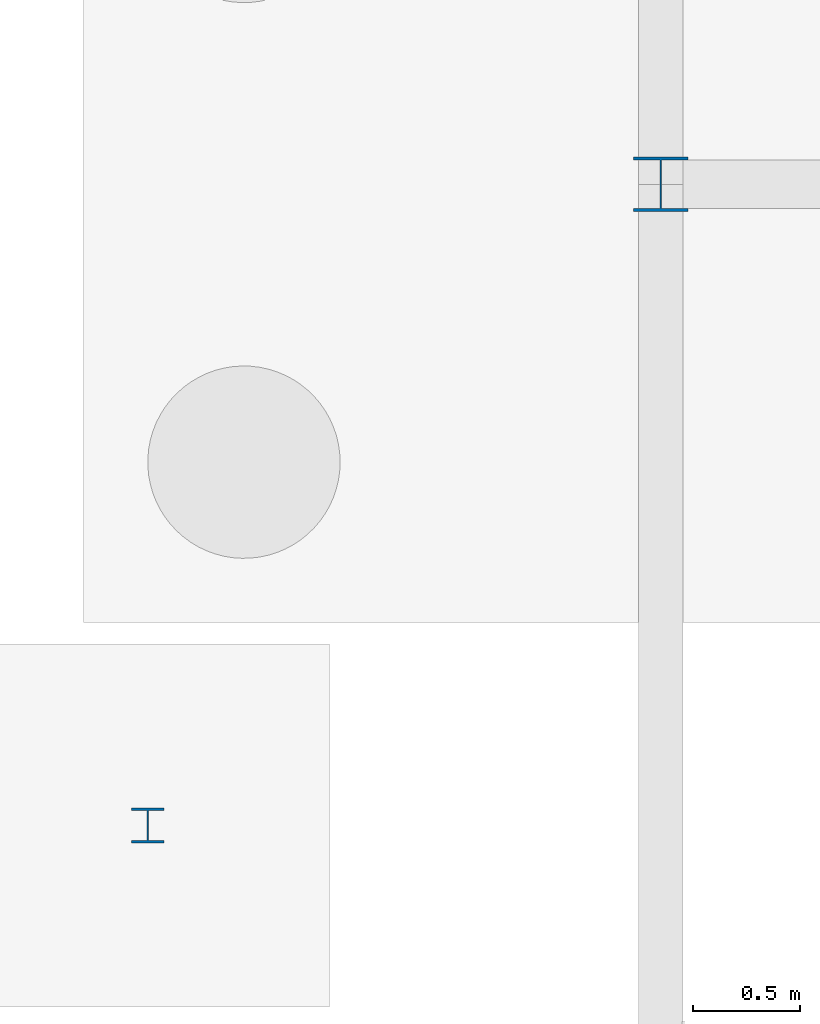
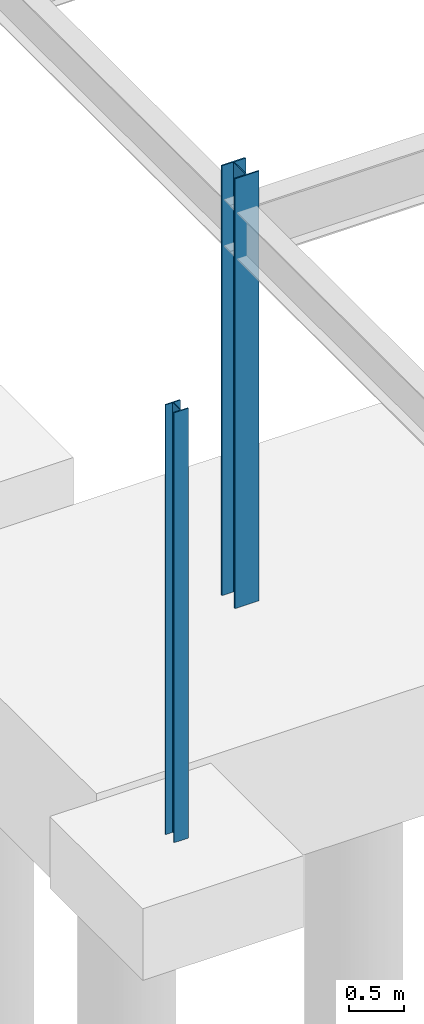
# One storey, part 52 of 136: 2 columns.
"""IFC4 building model written with IfcOpenShell, lengths in metres."""

import ifcopenshell
import ifcopenshell.guid

model = None  # the IFC model being written
_history = None  # IfcOwnerHistory: only IFC2X3 demands one
_inside = {}  # id of a spatial element -> (the spatial element, [elements in it])
_under = {}  # id of a project, library or spatial element -> (it, [spatial elements below it])
_declared = {}  # id of a project -> (the project, [libraries it declares])
_typed = {}  # id of a type object -> (the type object, [elements of that type])
_made_of = {}  # id of a material, layer set ... -> (it, [elements and type objects made of it])


def new_model(schema):
    """Start an empty IFC model of exactly this schema.

    Asked for "IFC4X3", IfcOpenShell would pick the latest addendum, in which some entities
    have other attributes; the version numbers below select the first issue.
    IFC2X3 requires an IfcOwnerHistory on every rooted entity: one is made here for all.
    """
    global model, _history
    if schema == "IFC4X3":
        model = ifcopenshell.file(schema_version=(4, 3, 0, 0))
    else:
        model = ifcopenshell.file(schema=schema)
    _inside.clear()
    _under.clear()
    _declared.clear()
    _typed.clear()
    _made_of.clear()
    _history = None
    if model.schema == "IFC2X3":
        org = make("IfcOrganization", Name="unknown")
        user = make(
            "IfcPersonAndOrganization",
            ThePerson=make("IfcPerson", FamilyName="unknown"),
            TheOrganization=org,
        )
        app = make(
            "IfcApplication",
            ApplicationDeveloper=org,
            Version="unknown",
            ApplicationFullName="unknown",
            ApplicationIdentifier="unknown",
        )
        _history = make(
            "IfcOwnerHistory",
            OwningUser=user,
            OwningApplication=app,
            ChangeAction="ADDED",
            CreationDate=0,
        )
    return model


def make(cls, **values):
    """One entity of the class cls with the attributes given. An attribute that is None is left unset."""
    return model.create_entity(
        cls, **{name: value for name, value in values.items() if value is not None}
    )


def rooted(cls, **values):
    """An entity with a GlobalId (a new one), such as an element, a storey or a relation."""
    return make(cls, GlobalId=ifcopenshell.guid.new(), OwnerHistory=_history, **values)


def si_unit(unit_type, name, prefix=None):
    """IfcSIUnit, for example si_unit("LENGTHUNIT", "METRE", prefix="MILLI")."""
    return make("IfcSIUnit", UnitType=unit_type, Prefix=prefix, Name=name)


def assignment(units):
    """IfcUnitAssignment: the units of a project."""
    return None if units is None else make("IfcUnitAssignment", Units=units)


def point(xyz):
    """IfcCartesianPoint."""
    return None if xyz is None else make("IfcCartesianPoint", Coordinates=xyz)


def direction(xyz):
    """IfcDirection."""
    return None if xyz is None else make("IfcDirection", DirectionRatios=xyz)


def frame(location, z_axis=None, x_axis=None):
    """IfcAxis2Placement3D, a coordinate frame: its origin and axes. An axis left out is left unset."""
    return make(
        "IfcAxis2Placement3D",
        Location=point(location),
        Axis=direction(z_axis),
        RefDirection=direction(x_axis),
    )


def frame_2d(location, x_axis=None):
    """IfcAxis2Placement2D, a coordinate frame in the plane: its origin and x axis."""
    return make(
        "IfcAxis2Placement2D", Location=point(location), RefDirection=direction(x_axis)
    )


def origin():
    """The frame at (0, 0, 0) with its axes left unset."""
    return frame((0.0, 0.0, 0.0))


def origin_2d():
    """The frame at (0, 0) in the plane with its x axis left unset."""
    return frame_2d((0.0, 0.0))


def place(relative_to, where):
    """IfcLocalPlacement: puts the frame where relative to a parent placement (None: the world)."""
    return make(
        "IfcLocalPlacement", PlacementRelTo=relative_to, RelativePlacement=where
    )


def context(
    kind, dimensions, precision=None, world=None, true_north=None, identifier=None
):
    """IfcGeometricRepresentationContext, for example the 3D "Model" context."""
    return make(
        "IfcGeometricRepresentationContext",
        ContextIdentifier=identifier,
        ContextType=kind,
        CoordinateSpaceDimension=dimensions,
        Precision=precision,
        WorldCoordinateSystem=world,
        TrueNorth=true_north,
    )


def subcontext(parent, identifier, kind, view, scale=None):
    """IfcGeometricRepresentationSubContext, for example "Body" below "Model"."""
    return make(
        "IfcGeometricRepresentationSubContext",
        ContextIdentifier=identifier,
        ContextType=kind,
        ParentContext=parent,
        TargetScale=scale,
        TargetView=view,
    )


def project(units=None, contexts=None):
    """IfcProject with its units and contexts."""
    return rooted(
        "IfcProject",
        Name="project",
        RepresentationContexts=contexts,
        UnitsInContext=assignment(units),
    )


def spatial(cls, under=None, at=None, **own):
    """A site, building, storey or space (cls), placed at a placement, below another one or the project."""
    s = rooted(cls, ObjectPlacement=at, **own)
    if under is not None:
        _under.setdefault(under.id(), (under, []))[1].append(s)
    return s


def profile(cls, at=None, kind="AREA", **sizes):
    """A parametric profile (cls). Its sizes go by their IFC names, for example OverallWidth=200.0."""
    return make(cls, ProfileType=kind, Position=at, **sizes)


def i_section(**sizes):
    """IfcIShapeProfileDef."""
    return profile("IfcIShapeProfileDef", **sizes)


def extrude(swept, where, along, depth):
    """IfcExtrudedAreaSolid: the profile swept, set in the frame where, extruded along a direction by depth."""
    return make(
        "IfcExtrudedAreaSolid",
        SweptArea=swept,
        Position=where,
        ExtrudedDirection=direction(along),
        Depth=depth,
    )


def shape(context_of_items, identifier, shape_type, items):
    """IfcShapeRepresentation: the items that make up one representation, for example the "Body"."""
    return make(
        "IfcShapeRepresentation",
        ContextOfItems=context_of_items,
        RepresentationIdentifier=identifier,
        RepresentationType=shape_type,
        Items=items,
    )


def material(Name=None, Category=None):
    """IfcMaterial."""
    return make("IfcMaterial", Name=Name, Category=Category)


def material_profile(
    of_material, cross_section, Name=None, Category=None, Priority=None
):
    """IfcMaterialProfile: a cross section and its material."""
    return make(
        "IfcMaterialProfile",
        Name=Name,
        Material=of_material,
        Profile=cross_section,
        Priority=Priority,
        Category=Category,
    )


def profile_set(profiles, Name=None, composite=None):
    """IfcMaterialProfileSet."""
    return make(
        "IfcMaterialProfileSet",
        Name=Name,
        MaterialProfiles=profiles,
        CompositeProfile=composite,
    )


def made_of(thing, what):
    """Note that an element or type object is made of a material, layer set ...; save() writes the relation."""
    if what is not None:
        _made_of.setdefault(what.id(), (what, []))[1].append(thing)
    return thing


def type_object(cls, material=None, **own):
    """A type object (cls), such as IfcWallType, which elements share."""
    return made_of(rooted(cls, **own), material)


def element(
    cls,
    number,
    at=None,
    inside=None,
    cuts=None,
    type_object=None,
    material=None,
    context=None,
    identifier="Body",
    shape_type=None,
    held_by="IfcProductDefinitionShape",
    body=None,
    shapes=None,
    **own,
):
    """One element of the class cls, such as IfcWall. Its Tag is "e" and its number.

    at: its placement. inside: the storey or other place that contains it. cuts: it is an
    opening in that element (IfcRelVoidsElement). A single representation is given by context,
    identifier, shape_type and body (its items); several are given by shapes. held_by: the class
    of the entity that holds the representations. save() writes the other relations.
    """
    e = rooted(cls, Tag="e%d" % number, ObjectPlacement=at, **own)
    if body is not None:
        shapes = [shape(context, identifier, shape_type, body)]
    if shapes is not None:
        e.Representation = make(held_by, Representations=shapes)
    if inside is not None:
        _inside.setdefault(inside.id(), (inside, []))[1].append(e)
    if cuts is not None:
        rooted(
            "IfcRelVoidsElement", RelatingBuildingElement=cuts, RelatedOpeningElement=e
        )
    if type_object is not None:
        _typed.setdefault(type_object.id(), (type_object, []))[1].append(e)
    return made_of(e, material)


def aggregate(whole, parts):
    """IfcRelAggregates: a whole, such as a stair, and the parts it consists of."""
    return rooted("IfcRelAggregates", RelatingObject=whole, RelatedObjects=parts)


def save(model, path):
    """Write the relations noted so far, then the file.

    IfcRelAggregates (storeys below a building ...), IfcRelContainedInSpatialStructure (elements
    in a storey), IfcRelDefinesByType, IfcRelAssociatesMaterial and IfcRelDeclares: one each for
    every whole, place, type object, material and project.
    """
    for whole, parts in _under.values():
        aggregate(whole, parts)
    for where, things in _inside.values():
        rooted(
            "IfcRelContainedInSpatialStructure",
            RelatedElements=things,
            RelatingStructure=where,
        )
    for kind, things in _typed.values():
        rooted("IfcRelDefinesByType", RelatedObjects=things, RelatingType=kind)
    for what, things in _made_of.values():
        rooted("IfcRelAssociatesMaterial", RelatedObjects=things, RelatingMaterial=what)
    for by, libraries in _declared.values():
        rooted("IfcRelDeclares", RelatingContext=by, RelatedDefinitions=libraries)
    model.write(path)


model = new_model("IFC4")

# Units and contexts
model_context = context("Model", 3, precision=1e-05, world=origin(), true_north=direction((0.0, 1.0)))
body_context = subcontext(model_context, "Body", "Model", "MODEL_VIEW")
ifc_project = project(units=[si_unit("LENGTHUNIT", "METRE"), si_unit("AREAUNIT", "SQUARE_METRE"), si_unit("VOLUMEUNIT", "CUBIC_METRE"), si_unit("PLANEANGLEUNIT", "RADIAN"), si_unit("MASSUNIT", "GRAM", prefix="KILO")], contexts=[model_context])

# Site, building, storey
site_placement = place(None, origin())
site = spatial("IfcSite", under=ifc_project, at=site_placement, CompositionType="ELEMENT")
building_placement = place(site_placement, origin())
building = spatial("IfcBuilding", under=site, at=building_placement, Name="Tarnwether General Hospital", CompositionType="ELEMENT")
storey_placement = place(building_placement, frame((0.0, 0.0, -4.800048828125)))
storey = spatial("IfcBuildingStorey", under=building, at=storey_placement, Name="LG", CompositionType="ELEMENT", Elevation=-4.800048828125)

# Columns
ifc_material_1 = material(Name="Steel Grade 350 (350 MPa)", Category="steel")
ifc_material_profile_1 = material_profile(ifc_material_1, i_section(OverallWidth=0.25390625, OverallDepth=0.25390625, WebThickness=0.008544921875, FlangeThickness=0.01416015625, at=origin_2d()), Name="250UC72.9")
ifc_profile_set_1 = profile_set([ifc_material_profile_1], Name="Steel Grade 350 (350 MPa)")
column_type_1 = type_object("IfcColumnType", Name="COL-24", PredefinedType="COLUMN", material=ifc_profile_set_1)
column_1_placement = place(storey_placement, frame((144.0, 57.60009765625, 0.0), z_axis=(0.0, 0.0, 1.0), x_axis=(1.0, 0.0, 0.0)))
element("IfcColumn", 1, at=column_1_placement, inside=storey, type_object=column_type_1, Name="Column COLG-LG-14400_5760", PredefinedType="COLUMN", context=body_context, shape_type="SweptSolid", body=[
    extrude(i_section(OverallWidth=0.25390625, OverallDepth=0.25390625, WebThickness=0.008544921875, FlangeThickness=0.01416015625, at=origin_2d()), origin(), (0.0, 0.0, 1.0), 4.800048828125),
])
ifc_material_2 = material(Name="Steel Grade 350 (350 MPa)", Category="steel")
ifc_material_profile_2 = material_profile(ifc_material_2, i_section(OverallWidth=0.154052734375, OverallDepth=0.162109375, WebThickness=0.008056640625, FlangeThickness=0.011474609375, at=origin_2d()), Name="150UC37.2")
ifc_profile_set_2 = profile_set([ifc_material_profile_2], Name="Steel Grade 350 (350 MPa)")
column_type_2 = type_object("IfcColumnType", Name="COL-28", PredefinedType="COLUMN", material=ifc_profile_set_2)
column_2_placement = place(storey_placement, frame((141.60009765625, 54.60009765625, 0.0), z_axis=(0.0, 0.0, 1.0), x_axis=(1.0, 0.0, 0.0)))
element("IfcColumn", 2, at=column_2_placement, inside=storey, type_object=column_type_2, Name="Column COLG-LG-14160_5460", PredefinedType="COLUMN", context=body_context, shape_type="SweptSolid", body=[
    extrude(i_section(OverallWidth=0.154052734375, OverallDepth=0.162109375, WebThickness=0.008056640625, FlangeThickness=0.011474609375, at=origin_2d()), origin(), (0.0, 0.0, 1.0), 4.800048828125),
])

save(model, "model.ifc")
